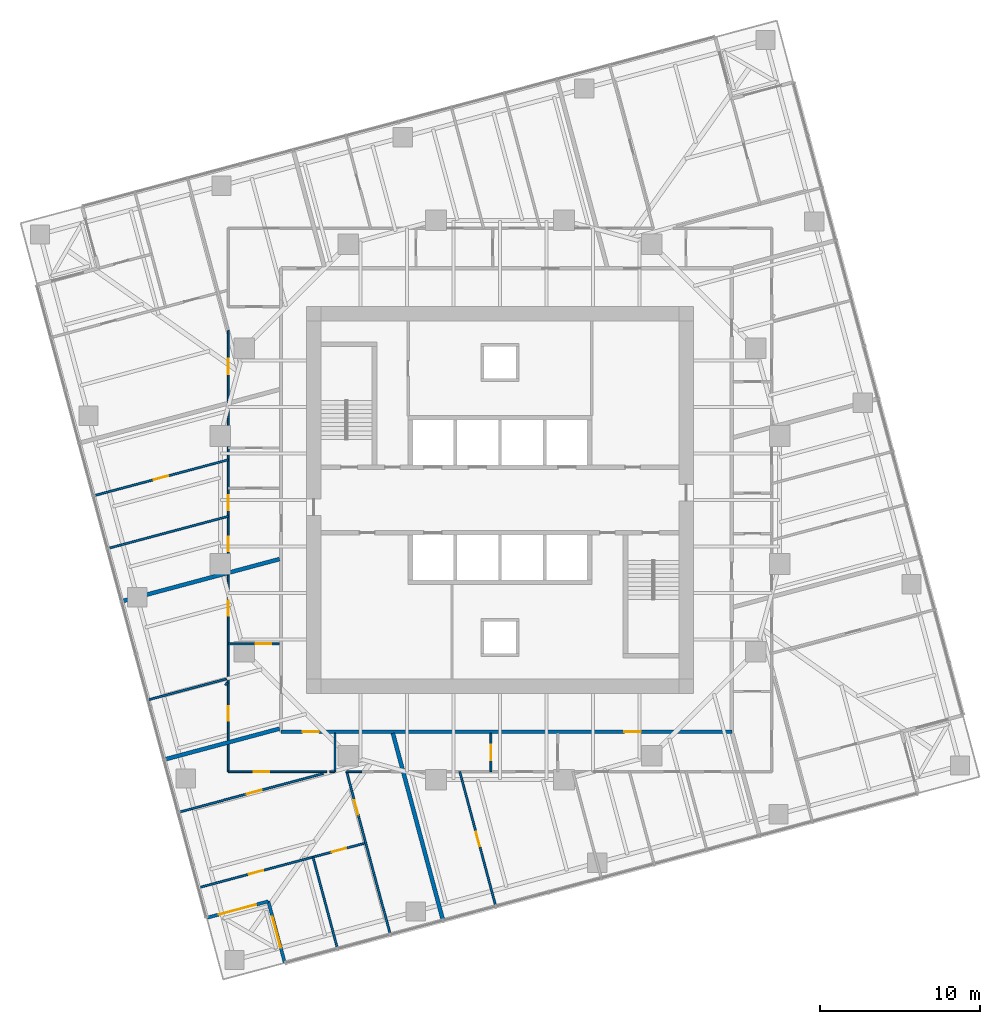
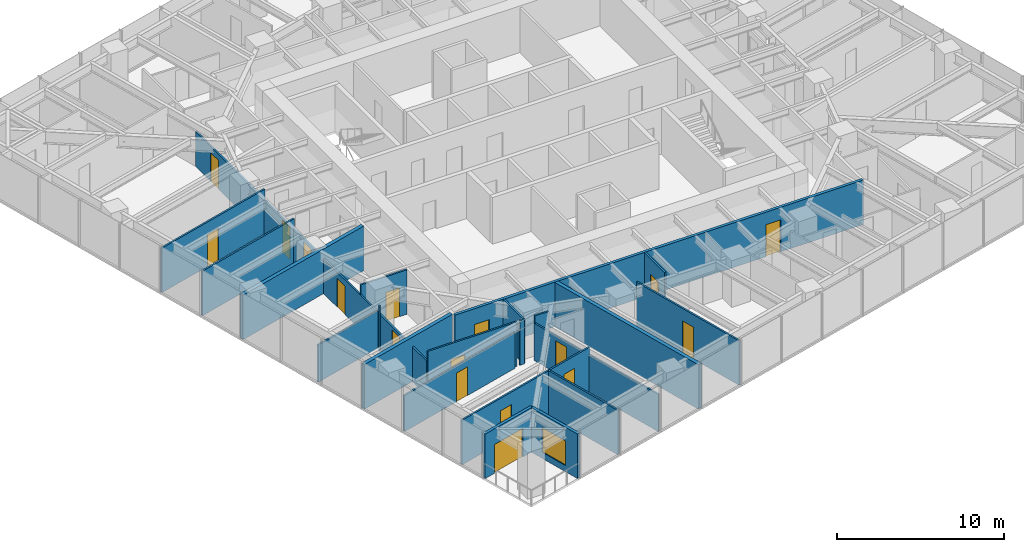
# One storey, part 8 of 13: 22 walls, 17 doors, 1 window, 18 openings.
"""IFC4 building model written with IfcOpenShell, lengths in metres."""

from ifc_helpers import new_model, si_unit, direction, frame, frame_2d, origin, place, context, subcontext, project, spatial, rectangle, extrude, material, layer, layer_set, type_object, element, fill, save


model = new_model("IFC4")

# Units and contexts
model_context = context("Model", 3, precision=1e-05, world=origin(), true_north=direction((0.0, 1.0)))
body_context = subcontext(model_context, "Body", "Model", "MODEL_VIEW")
ifc_project = project(units=[si_unit("LENGTHUNIT", "METRE"), si_unit("AREAUNIT", "SQUARE_METRE"), si_unit("VOLUMEUNIT", "CUBIC_METRE"), si_unit("PLANEANGLEUNIT", "RADIAN"), si_unit("MASSUNIT", "GRAM", prefix="KILO")], contexts=[model_context])

# Site, building, storey
site_placement = place(None, origin())
site = spatial("IfcSite", under=ifc_project, at=site_placement, CompositionType="ELEMENT")
building_placement = place(site_placement, origin())
building = spatial("IfcBuilding", under=site, at=building_placement, Name="Torsade Residences", CompositionType="ELEMENT")
storey_placement = place(building_placement, frame((0.0, 0.0, 118.39990234375)))
storey = spatial("IfcBuildingStorey", under=building, at=storey_placement, Name="L32", CompositionType="ELEMENT", Elevation=118.39990234375)

# Wall, openings, doors
ifc_material_1 = material(Name="Plasterboard on steel stud", Category="steel")
ifc_layer_1 = layer(ifc_material_1, 0.199951171875)
ifc_layer_set_1 = layer_set([ifc_layer_1], Name="Plasterboard on steel stud")
wall_type_1 = type_object("IfcWallType", Name="CORRIDOR WALL 200", PredefinedType="PARTITIONING", material=ifc_layer_set_1)
wall_1_placement = place(storey_placement, frame((26.300048828125, 15.5, 0.0), z_axis=(0.0, 0.0, 1.0), x_axis=(1.0, 0.0, 0.0)))
wall_1 = element("IfcWall", 1, at=wall_1_placement, inside=storey, type_object=wall_type_1, Name="Corridor wall L32", PredefinedType="PARTITIONING", context=body_context, shape_type="SweptSolid", body=[
    extrude(rectangle(XDim=28.199951171875, YDim=0.199951171875, at=frame_2d((14.10009765625, 0.0))), origin(), (0.0, 0.0, 1.0), 3.25),
])
opening_1_placement = place(wall_1_placement, frame((21.473876953125, 0.0, 0.0)))
opening_1 = element("IfcOpeningElement", 2, at=opening_1_placement, cuts=wall_1, Name="Opening D01", PredefinedType="OPENING", context=body_context, shape_type="SweptSolid", body=[
    extrude(rectangle(XDim=1.02001953125, YDim=2.340087890625, at=frame_2d((0.510009765625, 1.169921875))), frame((0.0, 0.10986328125, 0.0), z_axis=(0.0, -1.0, 0.0), x_axis=(1.0, 0.0, 0.0)), (0.0, 0.0, 1.0), 0.219970703125),
])
opening_2_placement = place(wall_1_placement, frame((1.35302734375, 0.0, 0.0)))
opening_2 = element("IfcOpeningElement", 3, at=opening_2_placement, cuts=wall_1, Name="Opening D01L", PredefinedType="OPENING", context=body_context, shape_type="SweptSolid", body=[
    extrude(rectangle(XDim=1.02001953125, YDim=2.10009765625, at=frame_2d((0.510009765625, 1.050048828125))), frame((0.0, 0.10986328125, 0.0), z_axis=(0.0, -1.0, 0.0), x_axis=(1.0, 0.0, 0.0)), (0.0, 0.0, 1.0), 0.219970703125),
])
ifc_material_2 = material(Name="Solid-core timber fire door", Category="wood")
door_type_1 = type_object("IfcDoorType", Name="APARTMENT ENTRY DOOR 1020x2100", OperationType="NOTDEFINED", PredefinedType="DOOR", material=ifc_material_2)
door_1_placement = place(opening_2_placement, origin())
door_1 = element("IfcDoor", 4, at=door_1_placement, inside=storey, type_object=door_type_1, Name="Door Residential corridor to Kitchen and dining", OperationType="SINGLE_SWING_LEFT", OverallHeight=2.10009765625, OverallWidth=1.02001953125, PredefinedType="DOOR", context=body_context, shape_type="SweptSolid", body=[
    extrude(rectangle(XDim=1.02001953125, YDim=2.10009765625, at=frame_2d((0.510009765625, 1.050048828125))), frame((0.0, 0.02490234375, 0.0), z_axis=(0.0, -1.0, 0.0), x_axis=(1.0, 0.0, 0.0)), (0.0, 0.0, 1.0), 0.050048828125),
])
fill(opening_2, door_1)
ifc_material_3 = material(Name="Solid-core timber fire door", Category="wood")
door_type_2 = type_object("IfcDoorType", Name="APARTMENT ENTRY DOOR 1020x2340", OperationType="NOTDEFINED", PredefinedType="DOOR", material=ifc_material_3)
door_2_placement = place(opening_1_placement, origin())
door_2 = element("IfcDoor", 5, at=door_2_placement, inside=storey, type_object=door_type_2, Name="Door Residential corridor to Kitchen and dining", OperationType="SINGLE_SWING_LEFT", OverallHeight=2.340087890625, OverallWidth=1.02001953125, PredefinedType="DOOR", context=body_context, shape_type="SweptSolid", body=[
    extrude(rectangle(XDim=1.02001953125, YDim=2.340087890625, at=frame_2d((0.510009765625, 1.169921875))), frame((0.0, 0.02490234375, 0.0), z_axis=(0.0, -1.0, 0.0), x_axis=(1.0, 0.0, 0.0)), (0.0, 0.0, 1.0), 0.050048828125),
])
fill(opening_1, door_2)

# Wall, opening, door
ifc_material_4 = material(Name="Plasterboard on steel stud", Category="steel")
ifc_layer_2 = layer(ifc_material_4, 0.1201171875)
ifc_layer_set_2 = layer_set([ifc_layer_2], Name="Plasterboard on steel stud")
wall_type_2 = type_object("IfcWallType", Name="PARTITION 120", PredefinedType="PARTITIONING", material=ifc_layer_set_2)
wall_2_placement = place(storey_placement, frame((23.0, 21.001953125, 0.0), z_axis=(0.0, 0.0, 1.0), x_axis=(1.0, 0.0, 0.0)))
wall_2 = element("IfcWall", 6, at=wall_2_placement, inside=storey, type_object=wall_type_2, Name="Partition L32", PredefinedType="PARTITIONING", context=body_context, shape_type="SweptSolid", body=[
    extrude(rectangle(XDim=3.199951171875, YDim=0.1201171875, at=frame_2d((1.60009765625, 0.0))), origin(), (0.0, 0.0, 1.0), 3.25),
])
opening_3_placement = place(wall_2_placement, frame((1.719970703125, 0.0, 0.0)))
opening_3 = element("IfcOpeningElement", 7, at=opening_3_placement, cuts=wall_2, Name="Opening D05", PredefinedType="OPENING", context=body_context, shape_type="SweptSolid", body=[
    extrude(rectangle(XDim=0.9599609375, YDim=2.10009765625, at=frame_2d((0.47998046875, 1.050048828125))), frame((0.0, 0.070068359375, 0.0), z_axis=(0.0, -1.0, 0.0), x_axis=(1.0, 0.0, 0.0)), (0.0, 0.0, 1.0), 0.14013671875),
])
ifc_material_5 = material(Name="Hollow-core timber door in a steel cavity frame", Category="steel")
door_type_3 = type_object("IfcDoorType", Name="BATHROOM CAVITY SLIDING DOOR 960", OperationType="SLIDING_TO_LEFT", PredefinedType="DOOR", material=ifc_material_5)
door_3_placement = place(opening_3_placement, origin())
door_3 = element("IfcDoor", 8, at=door_3_placement, inside=storey, type_object=door_type_3, Name="Door Kitchen and dining to Bathroom", OperationType="SLIDING_TO_LEFT", OverallHeight=2.10009765625, OverallWidth=0.9599609375, PredefinedType="DOOR", context=body_context, shape_type="SweptSolid", body=[
    extrude(rectangle(XDim=0.9599609375, YDim=2.10009765625, at=frame_2d((0.47998046875, 1.050048828125))), frame((0.0, 0.02490234375, 0.0), z_axis=(0.0, -1.0, 0.0), x_axis=(1.0, 0.0, 0.0)), (0.0, 0.0, 1.0), 0.050048828125),
])
fill(opening_3, door_3)

# Wall, openings, doors
wall_3_placement = place(storey_placement, frame((23.0, 13.0, 0.0), z_axis=(0.0, 0.0, 1.0), x_axis=(0.0, 1.0, 0.0)))
wall_3 = element("IfcWall", 9, at=wall_3_placement, inside=storey, type_object=wall_type_2, Name="Partition L32", PredefinedType="PARTITIONING", context=body_context, shape_type="SweptSolid", body=[
    extrude(rectangle(XDim=27.6396484375, YDim=0.1201171875, at=frame_2d((13.81982421875, 0.0))), origin(), (0.0, 0.0, 1.0), 2.550048828125),
])
opening_4_placement = place(wall_3_placement, frame((3.19189453125, 0.0, 0.0)))
opening_4 = element("IfcOpeningElement", 10, at=opening_4_placement, cuts=wall_3, Name="Opening D02", PredefinedType="OPENING", context=body_context, shape_type="SweptSolid", body=[
    extrude(rectangle(XDim=0.919921875, YDim=2.340087890625, at=frame_2d((0.4599609375, 1.169921875))), frame((0.0, 0.070068359375, 0.0), z_axis=(0.0, -1.0, 0.0), x_axis=(1.0, 0.0, 0.0)), (0.0, 0.0, 1.0), 0.14013671875),
])
opening_5_placement = place(wall_3_placement, frame((13.779296875, 0.0, 0.0)))
opening_5 = element("IfcOpeningElement", 11, at=opening_5_placement, cuts=wall_3, Name="Opening D02", PredefinedType="OPENING", context=body_context, shape_type="SweptSolid", body=[
    extrude(rectangle(XDim=0.919921875, YDim=2.340087890625, at=frame_2d((0.4599609375, 1.169921875))), frame((0.0, 0.070068359375, 0.0), z_axis=(0.0, -1.0, 0.0), x_axis=(1.0, 0.0, 0.0)), (0.0, 0.0, 1.0), 0.14013671875),
])
opening_6_placement = place(wall_3_placement, frame((16.373779296875, 0.0, 0.0)))
opening_6 = element("IfcOpeningElement", 12, at=opening_6_placement, cuts=wall_3, Name="Opening D02", PredefinedType="OPENING", context=body_context, shape_type="SweptSolid", body=[
    extrude(rectangle(XDim=0.919921875, YDim=2.340087890625, at=frame_2d((0.4599609375, 1.169921875))), frame((0.0, 0.070068359375, 0.0), z_axis=(0.0, -1.0, 0.0), x_axis=(1.0, 0.0, 0.0)), (0.0, 0.0, 1.0), 0.14013671875),
])
opening_7_placement = place(wall_3_placement, frame((9.743408203125, 0.0, 0.0)))
opening_7 = element("IfcOpeningElement", 13, at=opening_7_placement, cuts=wall_3, Name="Opening D05", PredefinedType="OPENING", context=body_context, shape_type="SweptSolid", body=[
    extrude(rectangle(XDim=0.9599609375, YDim=2.10009765625, at=frame_2d((0.47998046875, 1.050048828125))), frame((0.0, 0.070068359375, 0.0), z_axis=(0.0, -1.0, 0.0), x_axis=(1.0, 0.0, 0.0)), (0.0, 0.0, 1.0), 0.14013671875),
])
opening_8_placement = place(wall_3_placement, frame((24.87939453125, 0.0, 0.0)))
opening_8 = element("IfcOpeningElement", 14, at=opening_8_placement, cuts=wall_3, Name="Opening D05", PredefinedType="OPENING", context=body_context, shape_type="SweptSolid", body=[
    extrude(rectangle(XDim=0.9599609375, YDim=2.10009765625, at=frame_2d((0.47998046875, 1.050048828125))), frame((0.0, 0.070068359375, 0.0), z_axis=(0.0, -1.0, 0.0), x_axis=(1.0, 0.0, 0.0)), (0.0, 0.0, 1.0), 0.14013671875),
])
door_4_placement = place(opening_7_placement, origin())
door_4 = element("IfcDoor", 15, at=door_4_placement, inside=storey, type_object=door_type_3, Name="Door Bathroom to Living room", OperationType="SLIDING_TO_LEFT", OverallHeight=2.10009765625, OverallWidth=0.9599609375, PredefinedType="DOOR", context=body_context, shape_type="SweptSolid", body=[
    extrude(rectangle(XDim=0.9599609375, YDim=2.10009765625, at=frame_2d((0.47998046875, 1.050048828125))), frame((0.0, 0.02490234375, 0.0), z_axis=(0.0, -1.0, 0.0), x_axis=(1.0, 0.0, 0.0)), (0.0, 0.0, 1.0), 0.050048828125),
])
fill(opening_7, door_4)
door_5_placement = place(opening_8_placement, origin())
door_5 = element("IfcDoor", 16, at=door_5_placement, inside=storey, type_object=door_type_3, Name="Door Bathroom to Living room", OperationType="SLIDING_TO_LEFT", OverallHeight=2.10009765625, OverallWidth=0.9599609375, PredefinedType="DOOR", context=body_context, shape_type="SweptSolid", body=[
    extrude(rectangle(XDim=0.9599609375, YDim=2.10009765625, at=frame_2d((0.47998046875, 1.050048828125))), frame((0.0, 0.02490234375, 0.0), z_axis=(0.0, -1.0, 0.0), x_axis=(1.0, 0.0, 0.0)), (0.0, 0.0, 1.0), 0.050048828125),
])
fill(opening_8, door_5)
ifc_material_6 = material(Name="Hollow-core timber door", Category="wood")
door_type_4 = type_object("IfcDoorType", Name="INTERNAL DOOR 920x2340", OperationType="NOTDEFINED", PredefinedType="DOOR", material=ifc_material_6)
door_6_placement = place(opening_4_placement, origin())
door_6 = element("IfcDoor", 17, at=door_6_placement, inside=storey, type_object=door_type_4, Name="Door Kitchen and dining to Bedroom 1", OperationType="SINGLE_SWING_RIGHT", OverallHeight=2.340087890625, OverallWidth=0.919921875, PredefinedType="DOOR", context=body_context, shape_type="SweptSolid", body=[
    extrude(rectangle(XDim=0.919921875, YDim=2.340087890625, at=frame_2d((0.4599609375, 1.169921875))), frame((0.0, 0.02490234375, 0.0), z_axis=(0.0, -1.0, 0.0), x_axis=(1.0, 0.0, 0.0)), (0.0, 0.0, 1.0), 0.050048828125),
])
fill(opening_4, door_6)
door_7_placement = place(opening_5_placement, origin())
door_7 = element("IfcDoor", 18, at=door_7_placement, inside=storey, type_object=door_type_4, Name="Door Kitchen and dining to Bedroom 2", OperationType="SINGLE_SWING_LEFT", OverallHeight=2.340087890625, OverallWidth=0.919921875, PredefinedType="DOOR", context=body_context, shape_type="SweptSolid", body=[
    extrude(rectangle(XDim=0.919921875, YDim=2.340087890625, at=frame_2d((0.4599609375, 1.169921875))), frame((0.0, 0.02490234375, 0.0), z_axis=(0.0, -1.0, 0.0), x_axis=(1.0, 0.0, 0.0)), (0.0, 0.0, 1.0), 0.050048828125),
])
fill(opening_5, door_7)
door_8_placement = place(opening_6_placement, origin())
door_8 = element("IfcDoor", 19, at=door_8_placement, inside=storey, type_object=door_type_4, Name="Door Kitchen and dining to Bedroom 1", OperationType="SINGLE_SWING_LEFT", OverallHeight=2.340087890625, OverallWidth=0.919921875, PredefinedType="DOOR", context=body_context, shape_type="SweptSolid", body=[
    extrude(rectangle(XDim=0.919921875, YDim=2.340087890625, at=frame_2d((0.4599609375, 1.169921875))), frame((0.0, 0.02490234375, 0.0), z_axis=(0.0, -1.0, 0.0), x_axis=(1.0, 0.0, 0.0)), (0.0, 0.0, 1.0), 0.050048828125),
])
fill(opening_6, door_8)

# Walls
wall_4_placement = place(storey_placement, frame((22.813232421875, 18.42041015625, 0.0), z_axis=(0.0, 0.0, 1.0), x_axis=(0.609039064162, 0.793140226142, 0.0)))
element("IfcWall", 20, at=wall_4_placement, inside=storey, type_object=wall_type_2, Name="Partition L32", PredefinedType="PARTITIONING", context=body_context, shape_type="SweptSolid", body=[
    extrude(rectangle(XDim=0.2109375, YDim=0.1201171875, at=frame_2d((0.10546875, 0.0))), origin(), (0.0, 0.0, 1.0), 3.25),
])
wall_5_placement = place(storey_placement, frame((22.883544921875, 18.80517578125, 0.0), z_axis=(0.0, 0.0, 1.0), x_axis=(-0.965921615375, -0.258834759935, 0.0)))
element("IfcWall", 21, at=wall_5_placement, inside=storey, type_object=wall_type_2, Name="Partition L32", PredefinedType="PARTITIONING", context=body_context, shape_type="SweptSolid", body=[
    extrude(rectangle(XDim=5.029296875, YDim=0.1201171875, at=frame_2d((2.5146484375, 0.0))), origin(), (0.0, 0.0, 1.0), 2.72216796875),
])
wall_6_placement = place(storey_placement, frame((29.676025390625, 15.39990234375, 0.0), z_axis=(0.0, 0.0, 1.0), x_axis=(0.0, -1.0, 0.0)))
element("IfcWall", 22, at=wall_6_placement, inside=storey, type_object=wall_type_2, Name="Partition L32", PredefinedType="PARTITIONING", context=body_context, shape_type="SweptSolid", body=[
    extrude(rectangle(XDim=2.39990234375, YDim=0.1201171875, at=frame_2d((1.199951171875, 0.0))), origin(), (0.0, 0.0, 1.0), 3.25),
])

# Wall, opening, door
wall_7_placement = place(storey_placement, frame((29.147216796875, 13.0, 0.0), z_axis=(0.0, 0.0, 1.0), x_axis=(-1.0, 0.0, 0.0)))
wall_7 = element("IfcWall", 23, at=wall_7_placement, inside=storey, type_object=wall_type_2, Name="Partition L32", PredefinedType="PARTITIONING", context=body_context, shape_type="SweptSolid", body=[
    extrude(rectangle(XDim=6.147216796875, YDim=0.1201171875, at=frame_2d((3.07373046875, 0.0))), origin(), (0.0, 0.0, 1.0), 3.25),
])
opening_9_placement = place(wall_7_placement, frame((3.591064453125, 0.0, 0.0)))
opening_9 = element("IfcOpeningElement", 24, at=opening_9_placement, cuts=wall_7, Name="Opening D05", PredefinedType="OPENING", context=body_context, shape_type="SweptSolid", body=[
    extrude(rectangle(XDim=0.9599609375, YDim=2.10009765625, at=frame_2d((0.47998046875, 1.050048828125))), frame((0.0, 0.070068359375, 0.0), z_axis=(0.0, -1.0, 0.0), x_axis=(1.0, 0.0, 0.0)), (0.0, 0.0, 1.0), 0.14013671875),
])
door_9_placement = place(opening_9_placement, origin())
door_9 = element("IfcDoor", 25, at=door_9_placement, inside=storey, type_object=door_type_3, Name="Door Kitchen and dining to Bathroom", OperationType="SLIDING_TO_LEFT", OverallHeight=2.10009765625, OverallWidth=0.9599609375, PredefinedType="DOOR", context=body_context, shape_type="SweptSolid", body=[
    extrude(rectangle(XDim=0.9599609375, YDim=2.10009765625, at=frame_2d((0.47998046875, 1.050048828125))), frame((0.0, 0.02490234375, 0.0), z_axis=(0.0, -1.0, 0.0), x_axis=(1.0, 0.0, 0.0)), (0.0, 0.0, 1.0), 0.050048828125),
])
fill(opening_9, door_9)

wall_8_placement = place(storey_placement, frame((30.406494140625, 13.0, 0.0), z_axis=(0.0, 0.0, 1.0), x_axis=(0.258797552287, -0.965931585015, 0.0)))
wall_8 = element("IfcWall", 26, at=wall_8_placement, inside=storey, type_object=wall_type_2, Name="Partition L32", PredefinedType="PARTITIONING", context=body_context, shape_type="SweptSolid", body=[
    extrude(rectangle(XDim=10.522216796875, YDim=0.1201171875, at=frame_2d((5.26123046875, 0.0))), origin(), (0.0, 0.0, 1.0), 2.72216796875),
])
opening_10_placement = place(wall_8_placement, frame((1.846435546875, 0.0, 0.0)))
opening_10 = element("IfcOpeningElement", 27, at=opening_10_placement, cuts=wall_8, Name="Opening D02", PredefinedType="OPENING", context=body_context, shape_type="SweptSolid", body=[
    extrude(rectangle(XDim=0.919921875, YDim=2.340087890625, at=frame_2d((0.4599609375, 1.169921875))), frame((0.0, 0.070068359375, 0.0), z_axis=(0.0, -1.0, 0.0), x_axis=(1.0, 0.0, 0.0)), (0.0, 0.0, 1.0), 0.14013671875),
])
door_10_placement = place(opening_10_placement, origin())
door_10 = element("IfcDoor", 28, at=door_10_placement, inside=storey, type_object=door_type_4, Name="Door Living room to Bedroom 1", OperationType="SINGLE_SWING_LEFT", OverallHeight=2.340087890625, OverallWidth=0.919921875, PredefinedType="DOOR", context=body_context, shape_type="SweptSolid", body=[
    extrude(rectangle(XDim=0.919921875, YDim=2.340087890625, at=frame_2d((0.4599609375, 1.169921875))), frame((0.0, 0.02490234375, 0.0), z_axis=(0.0, -1.0, 0.0), x_axis=(1.0, 0.0, 0.0)), (0.0, 0.0, 1.0), 0.050048828125),
])
fill(opening_10, door_10)

# Wall, openings, doors
wall_9_placement = place(storey_placement, frame((31.60009765625, 8.54443359375, 0.0), z_axis=(0.0, 0.0, 1.0), x_axis=(-0.965927151587, -0.258814098973, 0.0)))
wall_9 = element("IfcWall", 29, at=wall_9_placement, inside=storey, type_object=wall_type_2, Name="Partition L32", PredefinedType="PARTITIONING", context=body_context, shape_type="SweptSolid", body=[
    extrude(rectangle(XDim=10.793212890625, YDim=0.1201171875, at=frame_2d((5.396484375, 0.0))), origin(), (0.0, 0.0, 1.0), 3.25),
])
opening_11_placement = place(wall_9_placement, frame((6.639892578125, 0.0, 0.0)))
opening_11 = element("IfcOpeningElement", 30, at=opening_11_placement, cuts=wall_9, Name="Opening D02", PredefinedType="OPENING", context=body_context, shape_type="SweptSolid", body=[
    extrude(rectangle(XDim=0.919921875, YDim=2.340087890625, at=frame_2d((0.4599609375, 1.169921875))), frame((0.0, 0.070068359375, 0.0), z_axis=(0.0, -1.0, 0.0), x_axis=(1.0, 0.0, 0.0)), (0.0, 0.0, 1.0), 0.14013671875),
])
opening_12_placement = place(wall_9_placement, frame((1.273193359375, 0.0, 0.0)))
opening_12 = element("IfcOpeningElement", 31, at=opening_12_placement, cuts=wall_9, Name="Opening D02", PredefinedType="OPENING", context=body_context, shape_type="SweptSolid", body=[
    extrude(rectangle(XDim=0.919921875, YDim=2.340087890625, at=frame_2d((0.4599609375, 1.169921875))), frame((0.0, 0.070068359375, 0.0), z_axis=(0.0, -1.0, 0.0), x_axis=(1.0, 0.0, 0.0)), (0.0, 0.0, 1.0), 0.14013671875),
])
door_11_placement = place(opening_11_placement, origin())
door_11 = element("IfcDoor", 32, at=door_11_placement, inside=storey, type_object=door_type_4, Name="Door Living room to Bedroom 2", OperationType="SINGLE_SWING_LEFT", OverallHeight=2.340087890625, OverallWidth=0.919921875, PredefinedType="DOOR", context=body_context, shape_type="SweptSolid", body=[
    extrude(rectangle(XDim=0.919921875, YDim=2.340087890625, at=frame_2d((0.4599609375, 1.169921875))), frame((0.0, 0.02490234375, 0.0), z_axis=(0.0, -1.0, 0.0), x_axis=(1.0, 0.0, 0.0)), (0.0, 0.0, 1.0), 0.050048828125),
])
fill(opening_11, door_11)
door_12_placement = place(opening_12_placement, origin())
door_12 = element("IfcDoor", 33, at=door_12_placement, inside=storey, type_object=door_type_4, Name="Door Living room to Bedroom 3", OperationType="SINGLE_SWING_RIGHT", OverallHeight=2.340087890625, OverallWidth=0.919921875, PredefinedType="DOOR", context=body_context, shape_type="SweptSolid", body=[
    extrude(rectangle(XDim=0.919921875, YDim=2.340087890625, at=frame_2d((0.4599609375, 1.169921875))), frame((0.0, 0.02490234375, 0.0), z_axis=(0.0, -1.0, 0.0), x_axis=(1.0, 0.0, 0.0)), (0.0, 0.0, 1.0), 0.050048828125),
])
fill(opening_12, door_12)

# Wall, opening, door
wall_10_placement = place(storey_placement, frame((19.91064453125, 10.46826171875, 0.0), z_axis=(0.0, 0.0, 1.0), x_axis=(0.965927203676, 0.25881390457, 0.0)))
wall_10 = element("IfcWall", 34, at=wall_10_placement, inside=storey, type_object=wall_type_2, Name="Partition L32", PredefinedType="PARTITIONING", context=body_context, shape_type="SweptSolid", body=[
    extrude(rectangle(XDim=9.356689453125, YDim=0.1201171875, at=frame_2d((4.67822265625, 0.0))), origin(), (0.0, 0.0, 1.0), 2.63818359375),
])
opening_13_placement = place(wall_10_placement, frame((4.390869140625, 0.0, 0.0)))
opening_13 = element("IfcOpeningElement", 35, at=opening_13_placement, cuts=wall_10, Name="Opening D05", PredefinedType="OPENING", context=body_context, shape_type="SweptSolid", body=[
    extrude(rectangle(XDim=0.9599609375, YDim=2.10009765625, at=frame_2d((0.47998046875, 1.050048828125))), frame((0.0, 0.070068359375, 0.0), z_axis=(0.0, -1.0, 0.0), x_axis=(1.0, 0.0, 0.0)), (0.0, 0.0, 1.0), 0.14013671875),
])
door_13_placement = place(opening_13_placement, origin())
door_13 = element("IfcDoor", 36, at=door_13_placement, inside=storey, type_object=door_type_3, Name="Door Bathroom to Living room", OperationType="SLIDING_TO_LEFT", OverallHeight=2.10009765625, OverallWidth=0.9599609375, PredefinedType="DOOR", context=body_context, shape_type="SweptSolid", body=[
    extrude(rectangle(XDim=0.9599609375, YDim=2.10009765625, at=frame_2d((0.47998046875, 1.050048828125))), frame((0.0, 0.02490234375, 0.0), z_axis=(0.0, -1.0, 0.0), x_axis=(1.0, 0.0, 0.0)), (0.0, 0.0, 1.0), 0.050048828125),
])
fill(opening_13, door_13)

# Wall
wall_11_placement = place(storey_placement, frame((28.300048828125, 7.66015625, 0.0), z_axis=(0.0, 0.0, 1.0), x_axis=(0.25882212607, -0.965925000741, 0.0)))
element("IfcWall", 37, at=wall_11_placement, inside=storey, type_object=wall_type_2, Name="Partition L32", PredefinedType="PARTITIONING", context=body_context, shape_type="SweptSolid", body=[
    extrude(rectangle(XDim=5.90966796875, YDim=0.1201171875, at=frame_2d((2.954833984375, 0.0))), origin(), (0.0, 0.0, 1.0), 3.25),
])

# Wall, opening, door
wall_12_placement = place(storey_placement, frame((39.431884765625, 15.39990234375, 0.0), z_axis=(0.0, 0.0, 1.0), x_axis=(0.0, -1.0, 0.0)))
wall_12 = element("IfcWall", 38, at=wall_12_placement, inside=storey, type_object=wall_type_2, Name="Partition L32", PredefinedType="PARTITIONING", context=body_context, shape_type="SweptSolid", body=[
    extrude(rectangle(XDim=2.39990234375, YDim=0.1201171875, at=frame_2d((1.199951171875, 0.0))), origin(), (0.0, 0.0, 1.0), 3.25),
])
opening_14_placement = place(wall_12_placement, frame((0.719970703125, 0.0, 0.0)))
opening_14 = element("IfcOpeningElement", 39, at=opening_14_placement, cuts=wall_12, Name="Opening D05", PredefinedType="OPENING", context=body_context, shape_type="SweptSolid", body=[
    extrude(rectangle(XDim=0.9599609375, YDim=2.10009765625, at=frame_2d((0.47998046875, 1.050048828125))), frame((0.0, 0.070068359375, 0.0), z_axis=(0.0, -1.0, 0.0), x_axis=(1.0, 0.0, 0.0)), (0.0, 0.0, 1.0), 0.14013671875),
])
door_14_placement = place(opening_14_placement, origin())
door_14 = element("IfcDoor", 40, at=door_14_placement, inside=storey, type_object=door_type_3, Name="Door Ensuite to Bathroom", OperationType="SLIDING_TO_LEFT", OverallHeight=2.10009765625, OverallWidth=0.9599609375, PredefinedType="DOOR", context=body_context, shape_type="SweptSolid", body=[
    extrude(rectangle(XDim=0.9599609375, YDim=2.10009765625, at=frame_2d((0.47998046875, 1.050048828125))), frame((0.0, 0.02490234375, 0.0), z_axis=(0.0, -1.0, 0.0), x_axis=(1.0, 0.0, 0.0)), (0.0, 0.0, 1.0), 0.050048828125),
])
fill(opening_14, door_14)

wall_13_placement = place(storey_placement, frame((39.730224609375, 4.604736328125, 0.0), z_axis=(0.0, 0.0, 1.0), x_axis=(-0.258819860698, 0.965925607751, 0.0)))
wall_13 = element("IfcWall", 41, at=wall_13_placement, inside=storey, type_object=wall_type_2, Name="Partition L32", PredefinedType="PARTITIONING", context=body_context, shape_type="SweptSolid", body=[
    extrude(rectangle(XDim=8.69140625, YDim=0.1201171875, at=frame_2d((4.345703125, 0.0))), origin(), (0.0, 0.0, 1.0), 3.25),
])
opening_15_placement = place(wall_13_placement, frame((3.86572265625, 0.0, 0.0)))
opening_15 = element("IfcOpeningElement", 42, at=opening_15_placement, cuts=wall_13, Name="Opening D02", PredefinedType="OPENING", context=body_context, shape_type="SweptSolid", body=[
    extrude(rectangle(XDim=0.919921875, YDim=2.340087890625, at=frame_2d((0.4599609375, 1.169921875))), frame((0.0, 0.070068359375, 0.0), z_axis=(0.0, -1.0, 0.0), x_axis=(1.0, 0.0, 0.0)), (0.0, 0.0, 1.0), 0.14013671875),
])
door_15_placement = place(opening_15_placement, origin())
door_15 = element("IfcDoor", 43, at=door_15_placement, inside=storey, type_object=door_type_4, Name="Door Living room to Bedroom 1", OperationType="SINGLE_SWING_RIGHT", OverallHeight=2.340087890625, OverallWidth=0.919921875, PredefinedType="DOOR", context=body_context, shape_type="SweptSolid", body=[
    extrude(rectangle(XDim=0.919921875, YDim=2.340087890625, at=frame_2d((0.4599609375, 1.169921875))), frame((0.0, 0.02490234375, 0.0), z_axis=(0.0, -1.0, 0.0), x_axis=(1.0, 0.0, 0.0)), (0.0, 0.0, 1.0), 0.050048828125),
])
fill(opening_15, door_15)

wall_14_placement = place(storey_placement, frame((23.0, 32.519287109375, 0.0), z_axis=(0.0, 0.0, 1.0), x_axis=(-0.965925607751, -0.258819860698, 0.0)))
wall_14 = element("IfcWall", 44, at=wall_14_placement, inside=storey, type_object=wall_type_2, Name="Partition L32", PredefinedType="PARTITIONING", context=body_context, shape_type="SweptSolid", body=[
    extrude(rectangle(XDim=8.69140625, YDim=0.1201171875, at=frame_2d((4.345703125, 0.0))), origin(), (0.0, 0.0, 1.0), 3.25),
])
opening_16_placement = place(wall_14_placement, frame((3.90576171875, 0.0, 0.0)))
opening_16 = element("IfcOpeningElement", 45, at=opening_16_placement, cuts=wall_14, Name="Opening D02", PredefinedType="OPENING", context=body_context, shape_type="SweptSolid", body=[
    extrude(rectangle(XDim=0.919921875, YDim=2.340087890625, at=frame_2d((0.4599609375, 1.169921875))), frame((0.0, 0.070068359375, 0.0), z_axis=(0.0, -1.0, 0.0), x_axis=(1.0, 0.0, 0.0)), (0.0, 0.0, 1.0), 0.14013671875),
])
door_16_placement = place(opening_16_placement, origin())
door_16 = element("IfcDoor", 46, at=door_16_placement, inside=storey, type_object=door_type_4, Name="Door Bedroom 1 to Living room", OperationType="SINGLE_SWING_RIGHT", OverallHeight=2.340087890625, OverallWidth=0.919921875, PredefinedType="DOOR", context=body_context, shape_type="SweptSolid", body=[
    extrude(rectangle(XDim=0.919921875, YDim=2.340087890625, at=frame_2d((0.4599609375, 1.169921875))), frame((0.0, 0.02490234375, 0.0), z_axis=(0.0, -1.0, 0.0), x_axis=(1.0, 0.0, 0.0)), (0.0, 0.0, 1.0), 0.050048828125),
])
fill(opening_16, door_16)

# Walls
wall_15_placement = place(storey_placement, frame((23.0, 28.98193359375, 0.0), z_axis=(0.0, 0.0, 1.0), x_axis=(-0.965927309482, -0.258813509689, 0.0)))
element("IfcWall", 47, at=wall_15_placement, inside=storey, type_object=wall_type_2, Name="Partition L32", PredefinedType="PARTITIONING", context=body_context, shape_type="SweptSolid", body=[
    extrude(rectangle(XDim=7.775634765625, YDim=0.1201171875, at=frame_2d((3.8876953125, 0.0))), origin(), (0.0, 0.0, 1.0), 3.25),
])
wall_16_placement = place(storey_placement, frame((29.676025390625, 13.0, 0.0), z_axis=(0.0, 0.0, 1.0), x_axis=(-1.0, 0.0, 0.0)))
element("IfcWall", 48, at=wall_16_placement, inside=storey, type_object=wall_type_2, Name="Partition L32", PredefinedType="PARTITIONING", context=body_context, shape_type="SweptSolid", body=[
    extrude(rectangle(XDim=0.31689453125, YDim=0.1201171875, at=frame_2d((0.158447265625, 0.0))), origin(), (0.0, 0.0, 1.0), 3.25),
])
wall_17_placement = place(storey_placement, frame((31.353515625, 13.0, 0.0), z_axis=(0.0, 0.0, 1.0), x_axis=(-1.0, 0.0, 0.0)))
element("IfcWall", 49, at=wall_17_placement, inside=storey, type_object=wall_type_2, Name="Partition L32", PredefinedType="PARTITIONING", context=body_context, shape_type="SweptSolid", body=[
    extrude(rectangle(XDim=0.947021484375, YDim=0.1201171875, at=frame_2d((0.4736328125, 0.0))), origin(), (0.0, 0.0, 1.0), 3.25),
])
ifc_material_7 = material(Name="Masonry-lined stud party wall", Category="masonry")
ifc_layer_3 = layer(ifc_material_7, 0.25)
ifc_layer_set_3 = layer_set([ifc_layer_3], Name="Masonry-lined stud party wall")
wall_type_3 = type_object("IfcWallType", Name="PARTY WALL 250", PredefinedType="PARTITIONING", material=ifc_layer_set_3)
wall_18_placement = place(storey_placement, frame((36.4404296875, 3.681884765625, 0.0), z_axis=(0.0, 0.0, 1.0), x_axis=(-0.258824223352, 0.965924438766, 0.0)))
element("IfcWall", 50, at=wall_18_placement, inside=storey, type_object=wall_type_3, Name="Party wall L32", PredefinedType="PARTITIONING", context=body_context, shape_type="SweptSolid", body=[
    extrude(rectangle(XDim=12.137939453125, YDim=0.25, at=frame_2d((6.06884765625, 0.0))), origin(), (0.0, 0.0, 1.0), 3.25),
])
wall_19_placement = place(storey_placement, frame((16.334716796875, 23.658935546875, 0.0), z_axis=(0.0, 0.0, 1.0), x_axis=(0.965927365002, 0.258813302479, 0.0)))
element("IfcWall", 51, at=wall_19_placement, inside=storey, type_object=wall_type_3, Name="Party wall L32", PredefinedType="PARTITIONING", context=body_context, shape_type="SweptSolid", body=[
    extrude(rectangle(XDim=10.2197265625, YDim=0.25, at=frame_2d((5.10986328125, 0.0))), origin(), (0.0, 0.0, 1.0), 3.25),
])
wall_20_placement = place(storey_placement, frame((18.98779296875, 13.75830078125, 0.0), z_axis=(0.0, 0.0, 1.0), x_axis=(0.965929532284, 0.258805213744, 0.0)))
element("IfcWall", 52, at=wall_20_placement, inside=storey, type_object=wall_type_3, Name="Party wall L32", PredefinedType="PARTITIONING", context=body_context, shape_type="SweptSolid", body=[
    extrude(rectangle(XDim=7.47314453125, YDim=0.25, at=frame_2d((3.736572265625, 0.0))), origin(), (0.0, 0.0, 1.0), 3.25),
])

# Wall, opening, door
ifc_material_8 = material(Name="Stone-faced precast concrete 40 MPa panel", Category="masonry")
ifc_layer_4 = layer(ifc_material_8, 0.199951171875)
ifc_layer_set_4 = layer_set([ifc_layer_4], Name="Stone-faced precast concrete 40 MPa panel")
wall_type_4 = type_object("IfcWallType", Name="TERRACE WALL 200", PredefinedType="SOLIDWALL", material=ifc_layer_set_4)
wall_21_placement = place(storey_placement, frame((21.640625, 3.857421875, 0.0), z_axis=(0.0, 0.0, 1.0), x_axis=(0.965919172068, 0.258843877716, 0.0)))
wall_21 = element("IfcWall", 53, at=wall_21_placement, inside=storey, type_object=wall_type_4, Name="Terrace wall L32 11", PredefinedType="SOLIDWALL", context=body_context, shape_type="SweptSolid", body=[
    extrude(rectangle(XDim=4.0, YDim=0.199951171875, at=frame_2d((2.0, 0.0))), origin(), (0.0, 0.0, 1.0), 3.25),
])
opening_17_placement = place(wall_21_placement, frame((0.800048828125, 0.0, 0.0)))
opening_17 = element("IfcOpeningElement", 54, at=opening_17_placement, cuts=wall_21, Name="Opening D10A", PredefinedType="OPENING", context=body_context, shape_type="SweptSolid", body=[
    extrude(rectangle(XDim=2.39990234375, YDim=2.10009765625, at=frame_2d((1.199951171875, 1.050048828125))), frame((0.0, 0.10986328125, 0.0), z_axis=(0.0, -1.0, 0.0), x_axis=(1.0, 0.0, 0.0)), (0.0, 0.0, 1.0), 0.219970703125),
])
ifc_material_9 = material(Name="Aluminium-framed glass door", Category="aluminium")
door_type_5 = type_object("IfcDoorType", Name="TERRACE SLIDING DOOR 2400x2100", OperationType="SLIDING_TO_LEFT", PredefinedType="DOOR", material=ifc_material_9)
door_17_placement = place(opening_17_placement, origin())
door_17 = element("IfcDoor", 55, at=door_17_placement, inside=storey, type_object=door_type_5, Name="Terrace door L32 11", OperationType="SLIDING_TO_LEFT", OverallHeight=2.10009765625, OverallWidth=2.39990234375, PredefinedType="DOOR", context=body_context, shape_type="SweptSolid", body=[
    extrude(rectangle(XDim=2.39990234375, YDim=2.10009765625, at=frame_2d((1.199951171875, 1.050048828125))), frame((0.0, 0.02490234375, 0.0), z_axis=(0.0, -1.0, 0.0), x_axis=(1.0, 0.0, 0.0)), (0.0, 0.0, 1.0), 0.050048828125),
])
fill(opening_17, door_17)

# Wall, opening, window
wall_22_placement = place(storey_placement, frame((25.50439453125, 4.892822265625, 0.0), z_axis=(0.0, 0.0, 1.0), x_axis=(0.258786931944, -0.965934430412, 0.0)))
wall_22 = element("IfcWall", 56, at=wall_22_placement, inside=storey, type_object=wall_type_4, Name="Terrace wall L32 12", PredefinedType="SOLIDWALL", context=body_context, shape_type="SweptSolid", body=[
    extrude(rectangle(XDim=4.0, YDim=0.199951171875, at=frame_2d((2.0, 0.0))), origin(), (0.0, 0.0, 1.0), 3.25),
])
opening_18_placement = place(wall_22_placement, frame((1.0, 0.0, 0.449951171875)))
opening_18 = element("IfcOpeningElement", 57, at=opening_18_placement, cuts=wall_22, Name="Opening W1B", PredefinedType="OPENING", context=body_context, shape_type="SweptSolid", body=[
    extrude(rectangle(XDim=2.0, YDim=1.800048828125, at=frame_2d((1.0, 0.89990234375))), frame((0.0, 0.10986328125, 0.0), z_axis=(0.0, -1.0, 0.0), x_axis=(1.0, 0.0, 0.0)), (0.0, 0.0, 1.0), 0.219970703125),
])
ifc_material_10 = material(Name="Aluminium-framed glass window", Category="aluminium")
window_type = type_object("IfcWindowType", Name="TERRACE WINDOW 2000x1800", PartitioningType="SINGLE_PANEL", PredefinedType="WINDOW", material=ifc_material_10)
window_placement = place(opening_18_placement, origin())
window = element("IfcWindow", 58, at=window_placement, inside=storey, type_object=window_type, Name="Terrace window L32 12", OverallHeight=1.800048828125, OverallWidth=2.0, PartitioningType="SINGLE_PANEL", PredefinedType="WINDOW", context=body_context, shape_type="SweptSolid", body=[
    extrude(rectangle(XDim=2.0, YDim=1.800048828125, at=frame_2d((1.0, 0.89990234375))), frame((0.0, 0.030029296875, 0.0), z_axis=(0.0, -1.0, 0.0), x_axis=(1.0, 0.0, 0.0)), (0.0, 0.0, 1.0), 0.06005859375),
])
fill(opening_18, window)

save(model, "model.ifc")
